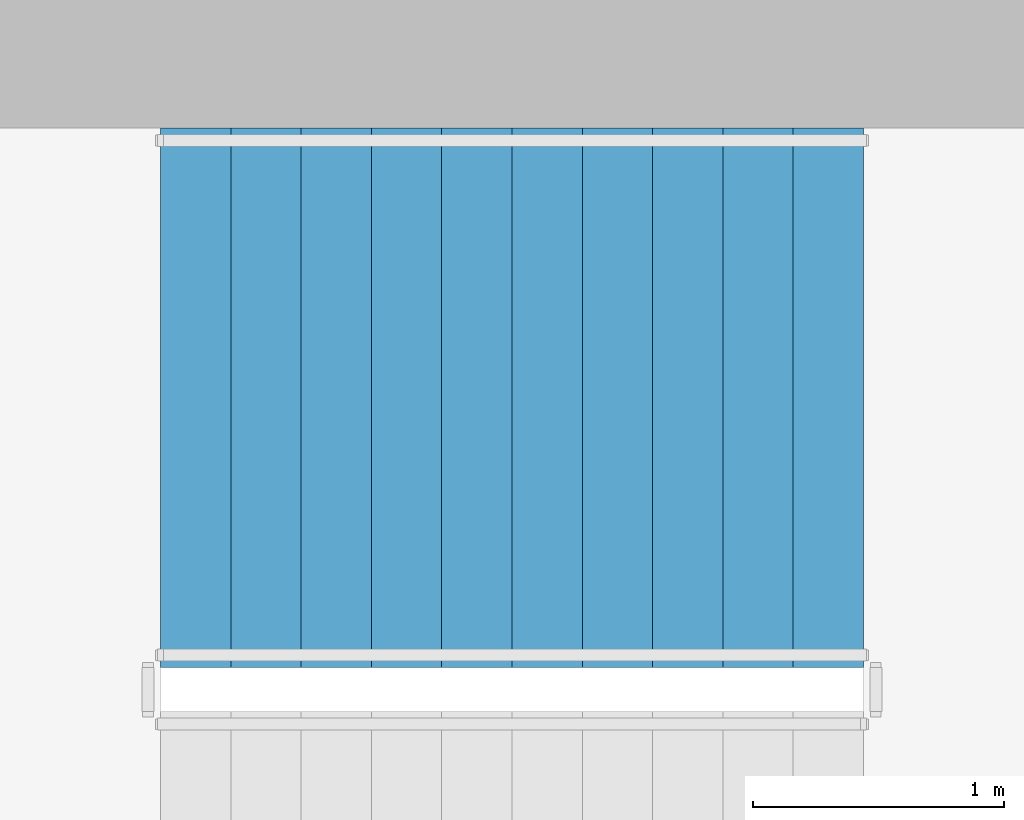
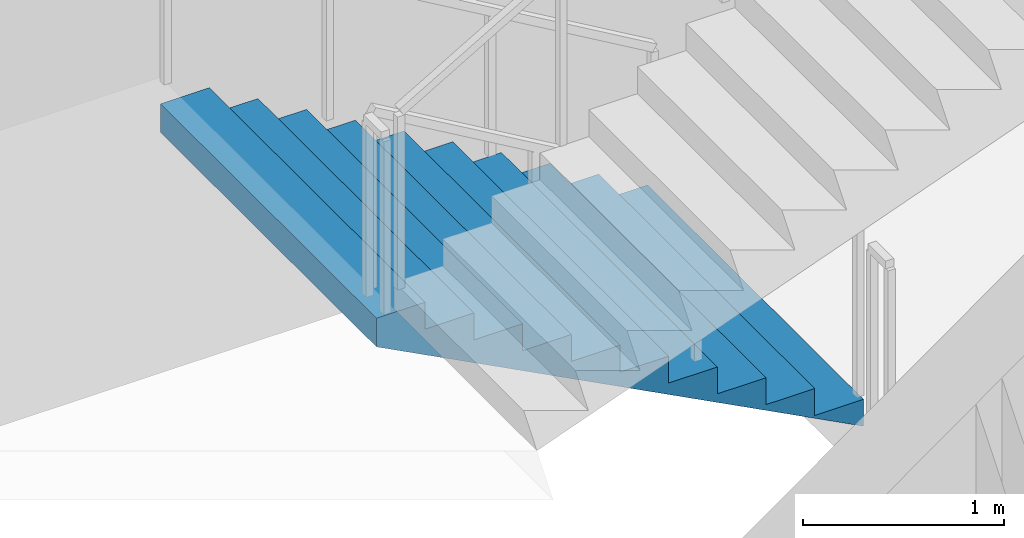
# One storey, part 12 of 20: 1 stair flight, 1 element without a shape of its own.
"""IFC4 building model written with IfcOpenShell, lengths in metres."""

import ifcopenshell
import ifcopenshell.guid

model = None  # the IFC model being written
_history = None  # IfcOwnerHistory: only IFC2X3 demands one
_inside = {}  # id of a spatial element -> (the spatial element, [elements in it])
_under = {}  # id of a project, library or spatial element -> (it, [spatial elements below it])
_declared = {}  # id of a project -> (the project, [libraries it declares])
_typed = {}  # id of a type object -> (the type object, [elements of that type])
_made_of = {}  # id of a material, layer set ... -> (it, [elements and type objects made of it])


def new_model(schema):
    """Start an empty IFC model of exactly this schema.

    Asked for "IFC4X3", IfcOpenShell would pick the latest addendum, in which some entities
    have other attributes; the version numbers below select the first issue.
    IFC2X3 requires an IfcOwnerHistory on every rooted entity: one is made here for all.
    """
    global model, _history
    if schema == "IFC4X3":
        model = ifcopenshell.file(schema_version=(4, 3, 0, 0))
    else:
        model = ifcopenshell.file(schema=schema)
    _inside.clear()
    _under.clear()
    _declared.clear()
    _typed.clear()
    _made_of.clear()
    _history = None
    if model.schema == "IFC2X3":
        org = make("IfcOrganization", Name="unknown")
        user = make(
            "IfcPersonAndOrganization",
            ThePerson=make("IfcPerson", FamilyName="unknown"),
            TheOrganization=org,
        )
        app = make(
            "IfcApplication",
            ApplicationDeveloper=org,
            Version="unknown",
            ApplicationFullName="unknown",
            ApplicationIdentifier="unknown",
        )
        _history = make(
            "IfcOwnerHistory",
            OwningUser=user,
            OwningApplication=app,
            ChangeAction="ADDED",
            CreationDate=0,
        )
    return model


def make(cls, **values):
    """One entity of the class cls with the attributes given. An attribute that is None is left unset."""
    return model.create_entity(
        cls, **{name: value for name, value in values.items() if value is not None}
    )


def rooted(cls, **values):
    """An entity with a GlobalId (a new one), such as an element, a storey or a relation."""
    return make(cls, GlobalId=ifcopenshell.guid.new(), OwnerHistory=_history, **values)


def si_unit(unit_type, name, prefix=None):
    """IfcSIUnit, for example si_unit("LENGTHUNIT", "METRE", prefix="MILLI")."""
    return make("IfcSIUnit", UnitType=unit_type, Prefix=prefix, Name=name)


def assignment(units):
    """IfcUnitAssignment: the units of a project."""
    return None if units is None else make("IfcUnitAssignment", Units=units)


def point(xyz):
    """IfcCartesianPoint."""
    return None if xyz is None else make("IfcCartesianPoint", Coordinates=xyz)


def direction(xyz):
    """IfcDirection."""
    return None if xyz is None else make("IfcDirection", DirectionRatios=xyz)


def frame(location, z_axis=None, x_axis=None):
    """IfcAxis2Placement3D, a coordinate frame: its origin and axes. An axis left out is left unset."""
    return make(
        "IfcAxis2Placement3D",
        Location=point(location),
        Axis=direction(z_axis),
        RefDirection=direction(x_axis),
    )


def origin():
    """The frame at (0, 0, 0) with its axes left unset."""
    return frame((0.0, 0.0, 0.0))


def place(relative_to, where):
    """IfcLocalPlacement: puts the frame where relative to a parent placement (None: the world)."""
    return make(
        "IfcLocalPlacement", PlacementRelTo=relative_to, RelativePlacement=where
    )


def context(
    kind, dimensions, precision=None, world=None, true_north=None, identifier=None
):
    """IfcGeometricRepresentationContext, for example the 3D "Model" context."""
    return make(
        "IfcGeometricRepresentationContext",
        ContextIdentifier=identifier,
        ContextType=kind,
        CoordinateSpaceDimension=dimensions,
        Precision=precision,
        WorldCoordinateSystem=world,
        TrueNorth=true_north,
    )


def subcontext(parent, identifier, kind, view, scale=None):
    """IfcGeometricRepresentationSubContext, for example "Body" below "Model"."""
    return make(
        "IfcGeometricRepresentationSubContext",
        ContextIdentifier=identifier,
        ContextType=kind,
        ParentContext=parent,
        TargetScale=scale,
        TargetView=view,
    )


def project(units=None, contexts=None):
    """IfcProject with its units and contexts."""
    return rooted(
        "IfcProject",
        Name="project",
        RepresentationContexts=contexts,
        UnitsInContext=assignment(units),
    )


def spatial(cls, under=None, at=None, **own):
    """A site, building, storey or space (cls), placed at a placement, below another one or the project."""
    s = rooted(cls, ObjectPlacement=at, **own)
    if under is not None:
        _under.setdefault(under.id(), (under, []))[1].append(s)
    return s


def point_list(points):
    """IfcCartesianPointList2D or 3D."""
    cls = (
        "IfcCartesianPointList2D" if len(points[0]) == 2 else "IfcCartesianPointList3D"
    )
    return make(cls, CoordList=points)


def triangles(points, corners, closed=None, point_numbers=None):
    """IfcTriangulatedFaceSet: each triangle names its three corners, points numbered from 1."""
    return make(
        "IfcTriangulatedFaceSet",
        Coordinates=point_list(points),
        Closed=closed,
        CoordIndex=corners,
        PnIndex=point_numbers,
    )


def shape(context_of_items, identifier, shape_type, items):
    """IfcShapeRepresentation: the items that make up one representation, for example the "Body"."""
    return make(
        "IfcShapeRepresentation",
        ContextOfItems=context_of_items,
        RepresentationIdentifier=identifier,
        RepresentationType=shape_type,
        Items=items,
    )


def material(Name=None, Category=None):
    """IfcMaterial."""
    return make("IfcMaterial", Name=Name, Category=Category)


def made_of(thing, what):
    """Note that an element or type object is made of a material, layer set ...; save() writes the relation."""
    if what is not None:
        _made_of.setdefault(what.id(), (what, []))[1].append(thing)
    return thing


def type_object(cls, material=None, **own):
    """A type object (cls), such as IfcWallType, which elements share."""
    return made_of(rooted(cls, **own), material)


def element(
    cls,
    number,
    at=None,
    inside=None,
    cuts=None,
    type_object=None,
    material=None,
    context=None,
    identifier="Body",
    shape_type=None,
    held_by="IfcProductDefinitionShape",
    body=None,
    shapes=None,
    **own,
):
    """One element of the class cls, such as IfcWall. Its Tag is "e" and its number.

    at: its placement. inside: the storey or other place that contains it. cuts: it is an
    opening in that element (IfcRelVoidsElement). A single representation is given by context,
    identifier, shape_type and body (its items); several are given by shapes. held_by: the class
    of the entity that holds the representations. save() writes the other relations.
    """
    e = rooted(cls, Tag="e%d" % number, ObjectPlacement=at, **own)
    if body is not None:
        shapes = [shape(context, identifier, shape_type, body)]
    if shapes is not None:
        e.Representation = make(held_by, Representations=shapes)
    if inside is not None:
        _inside.setdefault(inside.id(), (inside, []))[1].append(e)
    if cuts is not None:
        rooted(
            "IfcRelVoidsElement", RelatingBuildingElement=cuts, RelatedOpeningElement=e
        )
    if type_object is not None:
        _typed.setdefault(type_object.id(), (type_object, []))[1].append(e)
    return made_of(e, material)


def aggregate(whole, parts):
    """IfcRelAggregates: a whole, such as a stair, and the parts it consists of."""
    return rooted("IfcRelAggregates", RelatingObject=whole, RelatedObjects=parts)


def save(model, path):
    """Write the relations noted so far, then the file.

    IfcRelAggregates (storeys below a building ...), IfcRelContainedInSpatialStructure (elements
    in a storey), IfcRelDefinesByType, IfcRelAssociatesMaterial and IfcRelDeclares: one each for
    every whole, place, type object, material and project.
    """
    for whole, parts in _under.values():
        aggregate(whole, parts)
    for where, things in _inside.values():
        rooted(
            "IfcRelContainedInSpatialStructure",
            RelatedElements=things,
            RelatingStructure=where,
        )
    for kind, things in _typed.values():
        rooted("IfcRelDefinesByType", RelatedObjects=things, RelatingType=kind)
    for what, things in _made_of.values():
        rooted("IfcRelAssociatesMaterial", RelatedObjects=things, RelatingMaterial=what)
    for by, libraries in _declared.values():
        rooted("IfcRelDeclares", RelatingContext=by, RelatedDefinitions=libraries)
    model.write(path)


model = new_model("IFC4")

# Units and contexts
model_context = context("Model", 3, precision=1e-05, world=origin(), true_north=direction((0.0, 1.0)))
body_context = subcontext(model_context, "Body", "Model", "MODEL_VIEW")
ifc_project = project(units=[si_unit("LENGTHUNIT", "METRE"), si_unit("AREAUNIT", "SQUARE_METRE"), si_unit("VOLUMEUNIT", "CUBIC_METRE"), si_unit("PLANEANGLEUNIT", "RADIAN"), si_unit("MASSUNIT", "GRAM", prefix="KILO")], contexts=[model_context])

# Site, building, storey
site_placement = place(None, origin())
site = spatial("IfcSite", under=ifc_project, at=site_placement, CompositionType="ELEMENT")
building_placement = place(site_placement, origin())
building = spatial("IfcBuilding", under=site, at=building_placement, Name="Cypress Arch Tower", CompositionType="ELEMENT")
storey_placement = place(building_placement, frame((0.0, 0.0, 73.5)))
storey = spatial("IfcBuildingStorey", under=building, at=storey_placement, Name="L12", CompositionType="ELEMENT", Elevation=73.5)

# Stair, stair flight
ifc_material_1 = material(Name="Concrete C40/50", Category="concrete")
stair_type = type_object("IfcStairType", Name="Exit stair ES1636-215", PredefinedType="HALF_TURN_STAIR", material=ifc_material_1)
stair_placement = place(storey_placement, origin())
stair = element("IfcStair", 1, at=stair_placement, inside=storey, type_object=stair_type, Name="L12 Exit stair B", PredefinedType="HALF_TURN_STAIR")
ifc_material_2 = material(Name="Concrete C40/50", Category="concrete")
stair_flight_type = type_object("IfcStairFlightType", Name="Exit stair flight ES1636-215", PredefinedType="STRAIGHT", material=ifc_material_2)
stair_flight_placement = place(storey_placement, frame((-22.27490234375, 13.72509765625, 0.0), z_axis=(0.0, 0.0, 1.0), x_axis=(-1.0, 0.0, 0.0)))
stair_flight = element("IfcStairFlight", 2, at=stair_flight_placement, type_object=stair_flight_type, Name="B flight 1", NumberOfRisers=11, NumberOfTreads=10, PredefinedType="STRAIGHT", RiserHeight=0.163636364, TreadLength=0.28, context=body_context, shape_type="Tessellation", body=[
    triangles([(0.0, -1.074951171875, 0.0), (0.000244140625, -1.074951171875, 0.03271484375), (0.00048828125, -1.074951171875, 0.0654296875), (0.00048828125, -1.074951171875, 0.09814453125), (0.000244140625, -1.074951171875, 0.130859375), (0.0, -1.074951171875, 0.16357421875), (0.280029296875, -1.074951171875, 0.16357421875), (0.280029296875, -1.074951171875, 0.327392578125), (0.56005859375, -1.074951171875, 0.327392578125), (0.56005859375, -1.074951171875, 0.490966796875), (0.840087890625, -1.074951171875, 0.490966796875), (0.840087890625, -1.074951171875, 0.654541015625), (1.1201171875, -1.074951171875, 0.654541015625), (1.1201171875, -1.074951171875, 0.818115234375), (1.39990234375, -1.074951171875, 0.818115234375), (1.39990234375, -1.074951171875, 0.98193359375), (1.679931640625, -1.074951171875, 0.98193359375), (1.679931640625, -1.074951171875, 1.1455078125), (1.9599609375, -1.074951171875, 1.1455078125), (1.9599609375, -1.074951171875, 1.30908203125), (2.239990234375, -1.074951171875, 1.30908203125), (2.239990234375, -1.074951171875, 1.47265625), (2.52001953125, -1.074951171875, 1.47265625), (2.52001953125, -1.074951171875, 1.636474609375), (2.800048828125, -1.074951171875, 1.636474609375), (2.7998046875, -1.074951171875, 1.601806640625), (2.799560546875, -1.074951171875, 1.56689453125), (2.799560546875, -1.074951171875, 1.5322265625), (2.7998046875, -1.074951171875, 1.497314453125), (2.800048828125, -1.074951171875, 1.462646484375), (2.800048828125, 1.074951171875, 1.462646484375), (2.7998046875, 1.074951171875, 1.497314453125), (2.799560546875, 1.074951171875, 1.5322265625), (2.799560546875, 1.074951171875, 1.56689453125), (2.7998046875, 1.074951171875, 1.601806640625), (2.800048828125, 1.074951171875, 1.636474609375), (2.52001953125, 1.074951171875, 1.636474609375), (2.52001953125, 1.074951171875, 1.47265625), (2.239990234375, 1.074951171875, 1.47265625), (2.239990234375, 1.074951171875, 1.30908203125), (1.9599609375, 1.074951171875, 1.30908203125), (1.9599609375, 1.074951171875, 1.1455078125), (1.679931640625, 1.074951171875, 1.1455078125), (1.679931640625, 1.074951171875, 0.98193359375), (1.39990234375, 1.074951171875, 0.98193359375), (1.39990234375, 1.074951171875, 0.818115234375), (1.1201171875, 1.074951171875, 0.818115234375), (1.1201171875, 1.074951171875, 0.654541015625), (0.840087890625, 1.074951171875, 0.654541015625), (0.840087890625, 1.074951171875, 0.490966796875), (0.56005859375, 1.074951171875, 0.490966796875), (0.56005859375, 1.074951171875, 0.327392578125), (0.280029296875, 1.074951171875, 0.327392578125), (0.280029296875, 1.074951171875, 0.16357421875), (0.0, 1.074951171875, 0.16357421875), (0.000244140625, 1.074951171875, 0.130859375), (0.00048828125, 1.074951171875, 0.09814453125), (0.00048828125, 1.074951171875, 0.0654296875), (0.000244140625, 1.074951171875, 0.03271484375), (0.0, 1.074951171875, 0.0), (2.7998046875, 0.0, 1.497314453125), (2.800048828125, 0.0, 1.462646484375), (2.799560546875, 0.0, 1.5322265625), (2.799560546875, 0.0, 1.56689453125), (2.7998046875, 0.0, 1.601806640625), (2.800048828125, 0.0, 1.636474609375), (2.52001953125, 0.0, 1.636474609375), (2.52001953125, 0.0, 1.47265625), (2.239990234375, 0.0, 1.47265625), (2.239990234375, 0.0, 1.30908203125), (1.9599609375, 0.0, 1.30908203125), (1.9599609375, 0.0, 1.1455078125), (1.679931640625, 0.0, 1.1455078125), (1.679931640625, 0.0, 0.98193359375), (1.39990234375, 0.0, 0.98193359375), (1.39990234375, 0.0, 0.818115234375), (1.1201171875, 0.0, 0.818115234375), (1.1201171875, 0.0, 0.654541015625), (0.840087890625, 0.0, 0.654541015625), (0.840087890625, 0.0, 0.490966796875), (0.56005859375, 0.0, 0.490966796875), (0.56005859375, 0.0, 0.327392578125), (0.280029296875, 0.0, 0.327392578125), (0.280029296875, 0.0, 0.16357421875), (0.0, 0.0, 0.16357421875), (0.000244140625, 0.0, 0.130859375), (0.00048828125, 0.0, 0.09814453125), (0.00048828125, 0.0, 0.0654296875), (0.000244140625, 0.0, 0.03271484375), (0.0, 0.0, 0.0)], [[30, 29, 24], [29, 28, 24], [28, 27, 24], [27, 26, 24], [26, 25, 24], [17, 16, 15], [9, 8, 7], [15, 14, 13], [23, 22, 21], [21, 20, 19], [19, 18, 17], [13, 12, 11], [11, 10, 9], [6, 5, 7], [5, 4, 7], [4, 3, 7], [3, 2, 7], [2, 1, 7], [30, 24, 23], [30, 23, 21], [30, 21, 19], [30, 19, 17], [30, 17, 15], [30, 15, 13], [30, 13, 11], [30, 11, 9], [30, 9, 7], [30, 7, 1], [31, 37, 32], [32, 37, 33], [33, 37, 34], [34, 37, 35], [35, 37, 36], [44, 46, 45], [52, 54, 53], [46, 48, 47], [38, 40, 39], [40, 42, 41], [42, 44, 43], [48, 50, 49], [50, 52, 51], [55, 54, 56], [56, 54, 57], [57, 54, 58], [58, 54, 59], [59, 54, 60], [31, 38, 37], [31, 40, 38], [31, 42, 40], [31, 44, 42], [31, 46, 44], [31, 48, 46], [31, 50, 48], [31, 52, 50], [31, 54, 52], [31, 60, 54], [62, 61, 29], [62, 29, 30], [31, 32, 61], [31, 61, 62], [61, 63, 28], [61, 28, 29], [32, 33, 63], [32, 63, 61], [63, 64, 27], [63, 27, 28], [33, 34, 64], [33, 64, 63], [64, 65, 26], [64, 26, 27], [34, 35, 65], [34, 65, 64], [65, 66, 25], [65, 25, 26], [35, 36, 66], [35, 66, 65], [66, 67, 24], [66, 24, 25], [36, 37, 67], [36, 67, 66], [67, 68, 23], [67, 23, 24], [37, 38, 68], [37, 68, 67], [68, 69, 22], [68, 22, 23], [38, 39, 69], [38, 69, 68], [69, 70, 21], [69, 21, 22], [39, 40, 70], [39, 70, 69], [70, 71, 20], [70, 20, 21], [40, 41, 71], [40, 71, 70], [71, 72, 19], [71, 19, 20], [41, 42, 72], [41, 72, 71], [72, 73, 18], [72, 18, 19], [42, 43, 73], [42, 73, 72], [73, 74, 17], [73, 17, 18], [43, 44, 74], [43, 74, 73], [74, 75, 16], [74, 16, 17], [44, 45, 75], [44, 75, 74], [75, 76, 15], [75, 15, 16], [45, 46, 76], [45, 76, 75], [76, 77, 14], [76, 14, 15], [46, 47, 77], [46, 77, 76], [77, 78, 13], [77, 13, 14], [47, 48, 78], [47, 78, 77], [78, 79, 12], [78, 12, 13], [48, 49, 79], [48, 79, 78], [79, 80, 11], [79, 11, 12], [49, 50, 80], [49, 80, 79], [80, 81, 10], [80, 10, 11], [50, 51, 81], [50, 81, 80], [81, 82, 9], [81, 9, 10], [51, 52, 82], [51, 82, 81], [82, 83, 8], [82, 8, 9], [52, 53, 83], [52, 83, 82], [83, 84, 7], [83, 7, 8], [53, 54, 84], [53, 84, 83], [84, 85, 6], [84, 6, 7], [54, 55, 85], [54, 85, 84], [85, 86, 5], [85, 5, 6], [55, 56, 86], [55, 86, 85], [86, 87, 4], [86, 4, 5], [56, 57, 87], [56, 87, 86], [87, 88, 3], [87, 3, 4], [57, 58, 88], [57, 88, 87], [88, 89, 2], [88, 2, 3], [58, 59, 89], [58, 89, 88], [89, 90, 1], [89, 1, 2], [59, 60, 90], [59, 90, 89], [90, 62, 30], [90, 30, 1], [60, 31, 62], [60, 62, 90]], closed=True),
])
aggregate(stair, [stair_flight])

save(model, "model.ifc")
